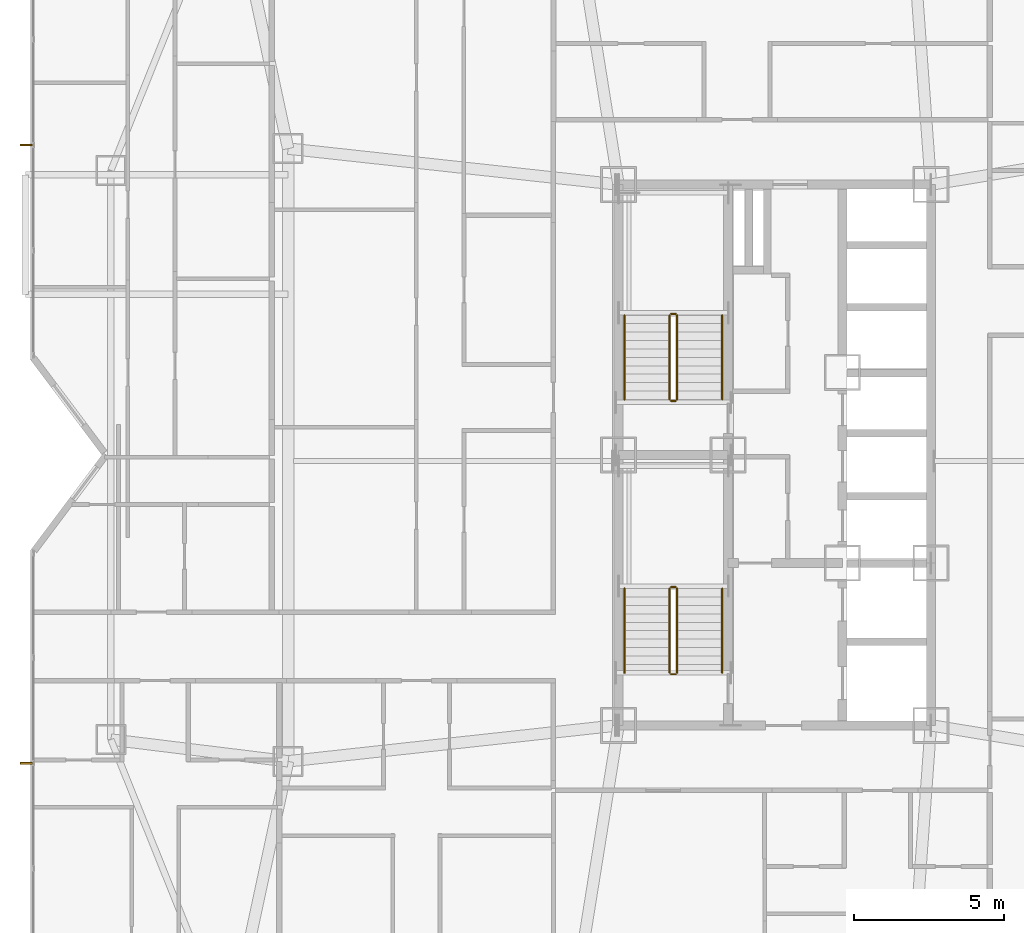
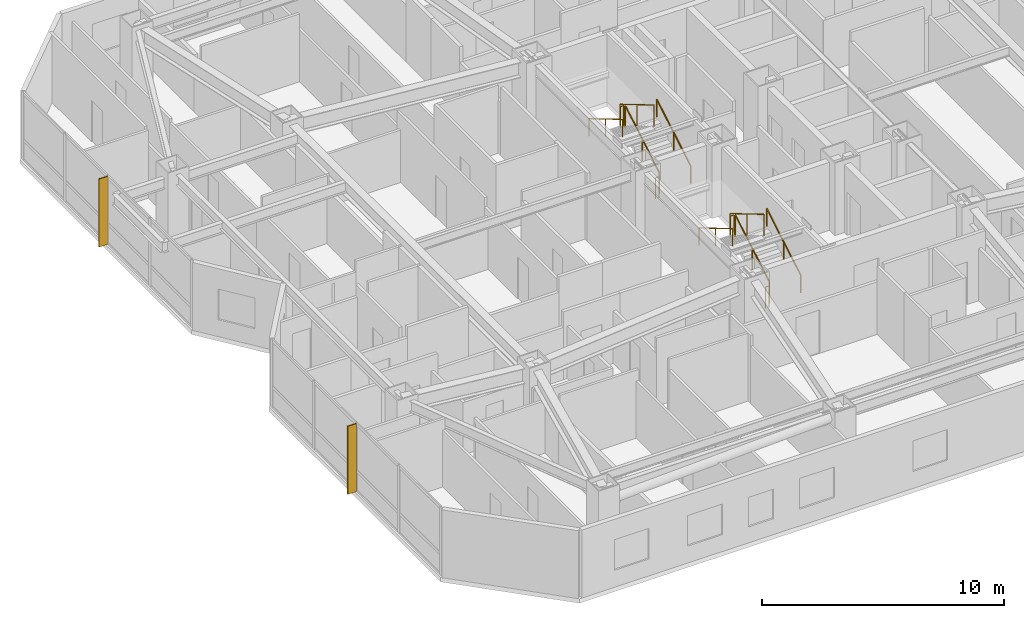
# One storey, part 21 of 21: 12 railings, 2 shading devices.
"""IFC4 building model written with IfcOpenShell, lengths in metres."""

from ifc_helpers import new_model, si_unit, direction, frame, origin, origin_2d, place, context, subcontext, project, spatial, rectangle, circle, extrude, material, type_object, element, save


model = new_model("IFC4")

# Units and contexts
model_context = context("Model", 3, precision=1e-05, world=origin(), true_north=direction((0.0, 1.0)))
body_context = subcontext(model_context, "Body", "Model", "MODEL_VIEW")
ifc_project = project(units=[si_unit("LENGTHUNIT", "METRE"), si_unit("AREAUNIT", "SQUARE_METRE"), si_unit("VOLUMEUNIT", "CUBIC_METRE"), si_unit("PLANEANGLEUNIT", "RADIAN"), si_unit("MASSUNIT", "GRAM", prefix="KILO")], contexts=[model_context])

# Site, building, storey
site_placement = place(None, origin())
site = spatial("IfcSite", under=ifc_project, at=site_placement, CompositionType="ELEMENT")
building_placement = place(site_placement, origin())
building = spatial("IfcBuilding", under=site, at=building_placement, Name="Khamvora Tower", CompositionType="ELEMENT")
storey_placement = place(building_placement, frame((0.0, 0.0, 98.25)))
storey = spatial("IfcBuildingStorey", under=building, at=storey_placement, Name="L24", CompositionType="ELEMENT", Elevation=98.25)

# Railings
ifc_material_1 = material(Name="Brushed Stainless Steel 316", Category="steel")
railing_type_1 = type_object("IfcRailingType", Name="RAL-HDR-920", PredefinedType="HANDRAIL", material=ifc_material_1)
railing_1_placement = place(storey_placement, frame((32.449951171875, 20.75, 0.166015625)))
element("IfcRailing", 1, at=railing_1_placement, inside=storey, type_object=railing_type_1, Name="L24 ST-01 stair handrail 1", PredefinedType="HANDRAIL", context=body_context, shape_type="SweptSolid", body=[
    extrude(circle(Radius=0.02392578125, at=origin_2d()), frame((0.0, 0.0, 0.8759765625), z_axis=(0.0, 0.860339051648, 0.50972219513), x_axis=(-1.0, 0.0, 0.0)), (0.0, 0.0, 1.0), 3.254638671875),
    extrude(circle(Radius=0.02099609375, at=origin_2d()), origin(), (0.0, 0.0, 1.0), 0.851806640625),
    extrude(circle(Radius=0.02099609375, at=origin_2d()), frame((0.0, 1.39990234375, 0.82958984375)), (0.0, 0.0, 1.0), 0.851806640625),
    extrude(circle(Radius=0.02099609375, at=origin_2d()), frame((0.0, 2.800048828125, 1.658935546875)), (0.0, 0.0, 1.0), 0.851806640625),
])
railing_2_placement = place(storey_placement, frame((29.199951171875, 23.550048828125, 1.990966796875)))
element("IfcRailing", 2, at=railing_2_placement, inside=storey, type_object=railing_type_1, Name="L24 ST-01 stair handrail 2", PredefinedType="HANDRAIL", context=body_context, shape_type="SweptSolid", body=[
    extrude(circle(Radius=0.02392578125, at=origin_2d()), frame((0.0, 0.0, 0.8759765625), z_axis=(0.0, -0.860339051648, 0.50972219513), x_axis=(1.0, 0.0, 0.0)), (0.0, 0.0, 1.0), 3.254638671875),
    extrude(circle(Radius=0.02099609375, at=origin_2d()), origin(), (0.0, 0.0, 1.0), 0.851806640625),
    extrude(circle(Radius=0.02099609375, at=origin_2d()), frame((0.0, -1.39990234375, 0.82958984375)), (0.0, 0.0, 1.0), 0.851806640625),
    extrude(circle(Radius=0.02099609375, at=origin_2d()), frame((0.0, -2.800048828125, 1.658935546875)), (0.0, 0.0, 1.0), 0.851806640625),
])
railing_3_placement = place(storey_placement, frame((32.449951171875, 29.85009765625, 0.166015625)))
element("IfcRailing", 3, at=railing_3_placement, inside=storey, type_object=railing_type_1, Name="L24 ST-02 stair handrail 1", PredefinedType="HANDRAIL", context=body_context, shape_type="SweptSolid", body=[
    extrude(circle(Radius=0.02392578125, at=origin_2d()), frame((0.0, 0.0, 0.8759765625), z_axis=(0.0, 0.860319559791, 0.509755093197), x_axis=(-1.0, 0.0, 0.0)), (0.0, 0.0, 1.0), 3.25439453125),
    extrude(circle(Radius=0.02099609375, at=origin_2d()), origin(), (0.0, 0.0, 1.0), 0.851806640625),
    extrude(circle(Radius=0.02099609375, at=origin_2d()), frame((0.0, 1.39990234375, 0.82958984375)), (0.0, 0.0, 1.0), 0.851806640625),
    extrude(circle(Radius=0.02099609375, at=origin_2d()), frame((0.0, 2.7998046875, 1.658935546875)), (0.0, 0.0, 1.0), 0.851806640625),
])
railing_4_placement = place(storey_placement, frame((29.199951171875, 32.64990234375, 1.990966796875)))
element("IfcRailing", 4, at=railing_4_placement, inside=storey, type_object=railing_type_1, Name="L24 ST-02 stair handrail 2", PredefinedType="HANDRAIL", context=body_context, shape_type="SweptSolid", body=[
    extrude(circle(Radius=0.02392578125, at=origin_2d()), frame((0.0, 0.0, 0.8759765625), z_axis=(0.0, -0.860319559791, 0.509755093197), x_axis=(1.0, 0.0, 0.0)), (0.0, 0.0, 1.0), 3.25439453125),
    extrude(circle(Radius=0.02099609375, at=origin_2d()), origin(), (0.0, 0.0, 1.0), 0.851806640625),
    extrude(circle(Radius=0.02099609375, at=origin_2d()), frame((0.0, -1.39990234375, 0.82958984375)), (0.0, 0.0, 1.0), 0.851806640625),
    extrude(circle(Radius=0.02099609375, at=origin_2d()), frame((0.0, -2.7998046875, 1.658935546875)), (0.0, 0.0, 1.0), 0.851806640625),
])
ifc_material_2 = material(Name="Stainless Steel 316", Category="steel")
railing_type_2 = type_object("IfcRailingType", Name="RAL-STG-1100", PredefinedType="GUARDRAIL", material=ifc_material_2)
railing_5_placement = place(storey_placement, frame((30.949951171875, 20.75, 0.166015625)))
element("IfcRailing", 5, at=railing_5_placement, inside=storey, type_object=railing_type_2, Name="L24 ST-01 stair guard 1", PredefinedType="GUARDRAIL", context=body_context, shape_type="SweptSolid", body=[
    extrude(circle(Radius=0.02392578125, at=origin_2d()), frame((0.0, 0.0, 1.076171875), z_axis=(0.0, 0.860339051648, 0.50972219513), x_axis=(-1.0, 0.0, 0.0)), (0.0, 0.0, 1.0), 3.254638671875),
    extrude(circle(Radius=0.02099609375, at=origin_2d()), origin(), (0.0, 0.0, 1.0), 1.052001953125),
    extrude(circle(Radius=0.02099609375, at=origin_2d()), frame((0.0, 1.39990234375, 0.82958984375)), (0.0, 0.0, 1.0), 1.052001953125),
    extrude(circle(Radius=0.02099609375, at=origin_2d()), frame((0.0, 2.800048828125, 1.658935546875)), (0.0, 0.0, 1.0), 1.052001953125),
])
railing_6_placement = place(storey_placement, frame((30.89990234375, 23.60009765625, 1.824951171875)))
element("IfcRailing", 6, at=railing_6_placement, inside=storey, type_object=railing_type_2, Name="L24 ST-01 stair guard 2", PredefinedType="GUARDRAIL", context=body_context, shape_type="SweptSolid", body=[
    extrude(circle(Radius=0.02392578125, at=origin_2d()), frame((0.0, 0.0, 1.076171875), z_axis=(-1.0, 0.0, 0.0), x_axis=(0.0, -1.0, 0.0)), (0.0, 0.0, 1.0), 0.14990234375),
    extrude(circle(Radius=0.02099609375, at=origin_2d()), origin(), (0.0, 0.0, 1.0), 1.052001953125),
    extrude(circle(Radius=0.02099609375, at=origin_2d()), frame((-0.14990234375, 0.0, 0.0)), (0.0, 0.0, 1.0), 1.052001953125),
])
railing_7_placement = place(storey_placement, frame((30.699951171875, 23.550048828125, 1.990966796875)))
element("IfcRailing", 7, at=railing_7_placement, inside=storey, type_object=railing_type_2, Name="L24 ST-01 stair guard 3", PredefinedType="GUARDRAIL", context=body_context, shape_type="SweptSolid", body=[
    extrude(circle(Radius=0.02392578125, at=origin_2d()), frame((0.0, 0.0, 1.076171875), z_axis=(0.0, -0.860339051648, 0.50972219513), x_axis=(1.0, 0.0, 0.0)), (0.0, 0.0, 1.0), 3.254638671875),
    extrude(circle(Radius=0.02099609375, at=origin_2d()), origin(), (0.0, 0.0, 1.0), 1.052001953125),
    extrude(circle(Radius=0.02099609375, at=origin_2d()), frame((0.0, -1.39990234375, 0.82958984375)), (0.0, 0.0, 1.0), 1.052001953125),
    extrude(circle(Radius=0.02099609375, at=origin_2d()), frame((0.0, -2.800048828125, 1.658935546875)), (0.0, 0.0, 1.0), 1.052001953125),
])
railing_8_placement = place(storey_placement, frame((30.89990234375, 20.699951171875, 0.0)))
element("IfcRailing", 8, at=railing_8_placement, inside=storey, type_object=railing_type_2, Name="L24 ST-01 stair guard 4", PredefinedType="GUARDRAIL", context=body_context, shape_type="SweptSolid", body=[
    extrude(circle(Radius=0.02392578125, at=origin_2d()), frame((0.0, 0.0, 1.076171875), z_axis=(-1.0, 0.0, 0.0), x_axis=(0.0, -1.0, 0.0)), (0.0, 0.0, 1.0), 0.14990234375),
    extrude(circle(Radius=0.02099609375, at=origin_2d()), origin(), (0.0, 0.0, 1.0), 1.052001953125),
    extrude(circle(Radius=0.02099609375, at=origin_2d()), frame((-0.14990234375, 0.0, 0.0)), (0.0, 0.0, 1.0), 1.052001953125),
])
railing_9_placement = place(storey_placement, frame((30.949951171875, 29.85009765625, 0.166015625)))
element("IfcRailing", 9, at=railing_9_placement, inside=storey, type_object=railing_type_2, Name="L24 ST-02 stair guard 1", PredefinedType="GUARDRAIL", context=body_context, shape_type="SweptSolid", body=[
    extrude(circle(Radius=0.02392578125, at=origin_2d()), frame((0.0, 0.0, 1.076171875), z_axis=(0.0, 0.860319559791, 0.509755093197), x_axis=(-1.0, 0.0, 0.0)), (0.0, 0.0, 1.0), 3.25439453125),
    extrude(circle(Radius=0.02099609375, at=origin_2d()), origin(), (0.0, 0.0, 1.0), 1.052001953125),
    extrude(circle(Radius=0.02099609375, at=origin_2d()), frame((0.0, 1.39990234375, 0.82958984375)), (0.0, 0.0, 1.0), 1.052001953125),
    extrude(circle(Radius=0.02099609375, at=origin_2d()), frame((0.0, 2.7998046875, 1.658935546875)), (0.0, 0.0, 1.0), 1.052001953125),
])
railing_10_placement = place(storey_placement, frame((30.89990234375, 32.699951171875, 1.824951171875)))
element("IfcRailing", 10, at=railing_10_placement, inside=storey, type_object=railing_type_2, Name="L24 ST-02 stair guard 2", PredefinedType="GUARDRAIL", context=body_context, shape_type="SweptSolid", body=[
    extrude(circle(Radius=0.02392578125, at=origin_2d()), frame((0.0, 0.0, 1.076171875), z_axis=(-1.0, 0.0, 0.0), x_axis=(0.0, -1.0, 0.0)), (0.0, 0.0, 1.0), 0.14990234375),
    extrude(circle(Radius=0.02099609375, at=origin_2d()), origin(), (0.0, 0.0, 1.0), 1.052001953125),
    extrude(circle(Radius=0.02099609375, at=origin_2d()), frame((-0.14990234375, 0.0, 0.0)), (0.0, 0.0, 1.0), 1.052001953125),
])
railing_11_placement = place(storey_placement, frame((30.699951171875, 32.64990234375, 1.990966796875)))
element("IfcRailing", 11, at=railing_11_placement, inside=storey, type_object=railing_type_2, Name="L24 ST-02 stair guard 3", PredefinedType="GUARDRAIL", context=body_context, shape_type="SweptSolid", body=[
    extrude(circle(Radius=0.02392578125, at=origin_2d()), frame((0.0, 0.0, 1.076171875), z_axis=(0.0, -0.860319559791, 0.509755093197), x_axis=(1.0, 0.0, 0.0)), (0.0, 0.0, 1.0), 3.25439453125),
    extrude(circle(Radius=0.02099609375, at=origin_2d()), origin(), (0.0, 0.0, 1.0), 1.052001953125),
    extrude(circle(Radius=0.02099609375, at=origin_2d()), frame((0.0, -1.39990234375, 0.82958984375)), (0.0, 0.0, 1.0), 1.052001953125),
    extrude(circle(Radius=0.02099609375, at=origin_2d()), frame((0.0, -2.7998046875, 1.658935546875)), (0.0, 0.0, 1.0), 1.052001953125),
])
railing_12_placement = place(storey_placement, frame((30.89990234375, 29.800048828125, 0.0)))
element("IfcRailing", 12, at=railing_12_placement, inside=storey, type_object=railing_type_2, Name="L24 ST-02 stair guard 4", PredefinedType="GUARDRAIL", context=body_context, shape_type="SweptSolid", body=[
    extrude(circle(Radius=0.02392578125, at=origin_2d()), frame((0.0, 0.0, 1.076171875), z_axis=(-1.0, 0.0, 0.0), x_axis=(0.0, -1.0, 0.0)), (0.0, 0.0, 1.0), 0.14990234375),
    extrude(circle(Radius=0.02099609375, at=origin_2d()), origin(), (0.0, 0.0, 1.0), 1.052001953125),
    extrude(circle(Radius=0.02099609375, at=origin_2d()), frame((-0.14990234375, 0.0, 0.0)), (0.0, 0.0, 1.0), 1.052001953125),
])

# Shading devices
ifc_material_3 = material(Name="Anodised Bronze Aluminium 6063-T6", Category="aluminium")
shading_device_type = type_object("IfcShadingDeviceType", Name="SHD-FIN-420", PredefinedType="USERDEFINED", material=ifc_material_3)
for number, where, z_axis, x_axis, name in (
    (13, (9.282958984375, 17.739990234375, 0.0), (0.0, 0.0, 1.0), (0.0, 1.0, 0.0), "L24 anodised bronze solar fin 02.01"),
    (14, (9.282958984375, 38.322998046875, 0.0), (0.0, 0.0, 1.0), (0.0, 1.0, 0.0), "L24 anodised bronze solar fin 05.01"),
):
    element("IfcShadingDevice", number, at=place(storey_placement, frame(where, z_axis=z_axis, x_axis=x_axis)), inside=storey, type_object=shading_device_type, Name=name, ObjectType="FIN", PredefinedType="USERDEFINED", context=body_context, shape_type="SweptSolid", body=[
        extrude(rectangle(XDim=0.06005859375, YDim=0.419921875, at=origin_2d()), origin(), (0.0, 0.0, 1.0), 3.429931640625),
    ])

save(model, "model.ifc")
